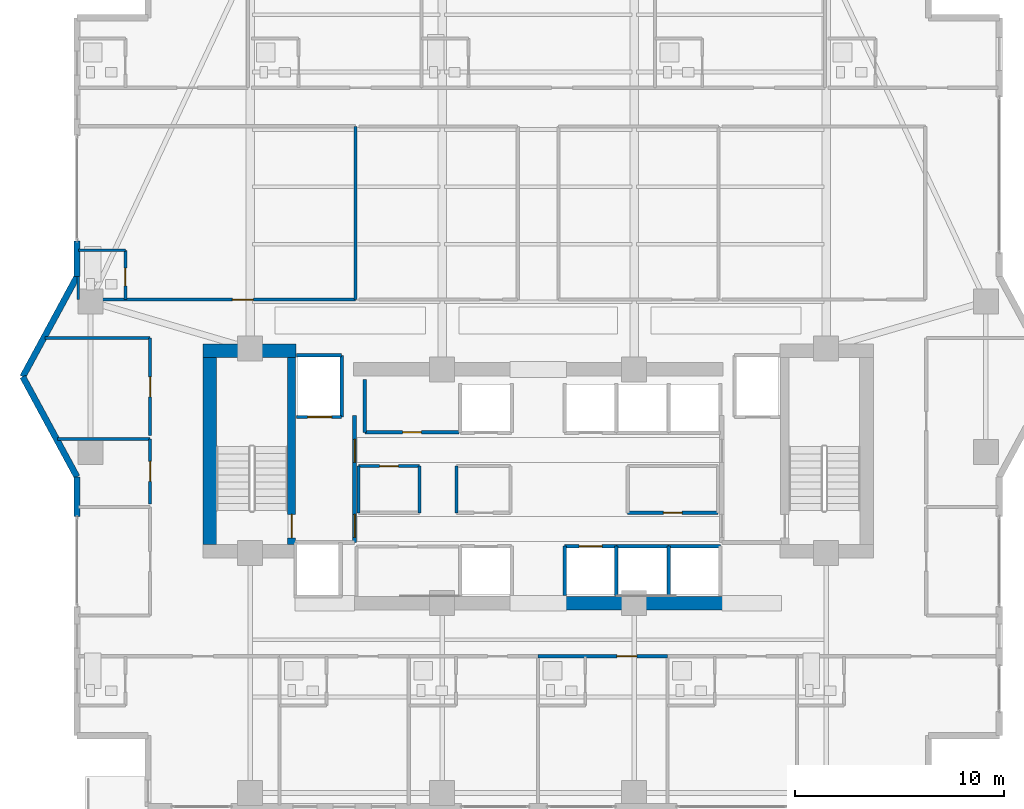
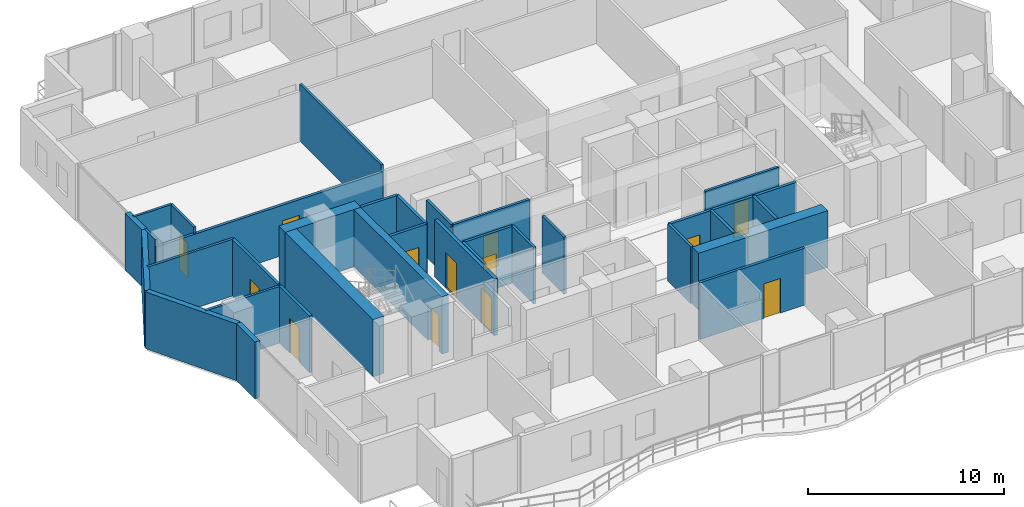
# One storey, part 25 of 32: 35 walls, 13 doors, 13 openings.
"""IFC4 building model written with IfcOpenShell, lengths in metres."""

from ifc_helpers import new_model, si_unit, direction, frame, frame_2d, origin, place, context, subcontext, project, spatial, rectangle, extrude, material, layer, layer_set, type_object, element, fill, save


model = new_model("IFC4")

# Units and contexts
model_context = context("Model", 3, precision=1e-05, world=origin(), true_north=direction((0.0, 1.0)))
body_context = subcontext(model_context, "Body", "Model", "MODEL_VIEW")
ifc_project = project(units=[si_unit("LENGTHUNIT", "METRE"), si_unit("AREAUNIT", "SQUARE_METRE"), si_unit("VOLUMEUNIT", "CUBIC_METRE"), si_unit("PLANEANGLEUNIT", "RADIAN"), si_unit("MASSUNIT", "GRAM", prefix="KILO")], contexts=[model_context])

# Site, building, storey
site_placement = place(None, origin())
site = spatial("IfcSite", under=ifc_project, at=site_placement, CompositionType="ELEMENT")
building_placement = place(site_placement, origin())
building = spatial("IfcBuilding", under=site, at=building_placement, Name="Zuhayl Quay Hotel", CompositionType="ELEMENT")
storey_placement = place(building_placement, frame((0.0, 0.0, 196.14990234375)))
storey = spatial("IfcBuildingStorey", under=building, at=storey_placement, Name="L49", CompositionType="ELEMENT", Elevation=196.14990234375)

# Walls
ifc_material_1 = material(Name="Concrete C50/60", Category="concrete")
ifc_layer_1 = layer(ifc_material_1, 0.64990234375, Name="Concrete C50/60", Category="concrete")
ifc_layer_set_1 = layer_set([ifc_layer_1], Name="Concrete C50/60")
wall_type_1 = type_object("IfcWallType", Name="WL_CORE_650", PredefinedType="SHEAR", material=ifc_layer_set_1)
wall_1_placement = place(storey_placement, frame((-16.06005859375, 14.2548828125, 0.0), z_axis=(0.0, 0.0, 1.0), x_axis=(1.0, 0.0, 0.0)))
element("IfcWall", 1, at=wall_1_placement, inside=storey, type_object=wall_type_1, Name="L49 Core Shear Wall CW_NW", PredefinedType="SHEAR", context=body_context, shape_type="SweptSolid", body=[
    extrude(rectangle(XDim=4.4599609375, YDim=0.64990234375, at=frame_2d((2.22998046875, 0.0))), origin(), (0.0, 0.0, 1.0), 3.56005859375),
])
wall_2_placement = place(storey_placement, frame((-15.735107421875, 4.969970703125, 0.0), z_axis=(0.0, 0.0, 1.0), x_axis=(0.0, 1.0, 0.0)))
element("IfcWall", 2, at=wall_2_placement, inside=storey, type_object=wall_type_1, Name="L49 Core Shear Wall CW_W", PredefinedType="SHEAR", context=body_context, shape_type="SweptSolid", body=[
    extrude(rectangle(XDim=8.9599609375, YDim=0.64990234375, at=frame_2d((4.47998046875, 0.0))), origin(), (0.0, 0.0, 1.0), 3.56005859375),
])
wall_3_placement = place(storey_placement, frame((1.25, 2.14990234375, 0.0), z_axis=(0.0, 0.0, 1.0), x_axis=(1.0, 0.0, 0.0)))
element("IfcWall", 3, at=wall_3_placement, inside=storey, type_object=wall_type_1, Name="L49 Core Shear Wall CW_SC_E", PredefinedType="SHEAR", context=body_context, shape_type="SweptSolid", body=[
    extrude(rectangle(XDim=7.60009765625, YDim=0.64990234375, at=frame_2d((3.800048828125, 0.0))), origin(), (0.0, 0.0, 1.0), 3.530029296875),
])
ifc_material_2 = material(Name="Precast concrete C45/55", Category="concrete")
ifc_layer_2 = layer(ifc_material_2, 0.300048828125, Name="Precast concrete C45/55", Category="concrete")
ifc_layer_set_2 = layer_set([ifc_layer_2], Name="Precast concrete C45/55")
wall_type_2 = type_object("IfcWallType", Name="WL_EXT_300", PredefinedType="STANDARD", material=ifc_layer_set_2)
wall_4_placement = place(storey_placement, frame((-22.10009765625, 6.300048828125, 0.0), z_axis=(0.0, 0.0, 1.0), x_axis=(0.0, 1.0, 0.0)))
element("IfcWall", 4, at=wall_4_placement, inside=storey, type_object=wall_type_2, Name="L49 Exterior Precast Wall ENV_L49_E02_EW2", PredefinedType="STANDARD", context=body_context, shape_type="SweptSolid", body=[
    extrude(rectangle(XDim=1.89990234375, YDim=0.300048828125, at=frame_2d((0.949951171875, 0.0))), origin(), (0.0, 0.0, 1.0), 3.530029296875),
])
for number, where, z_axis, x_axis, name in (
    (5, (-22.10009765625, 8.199951171875, 0.0), (0.0, 0.0, 1.0), (-0.476258655584, 0.879305233114, 0.0), "L49 Exterior Precast Wall ENV_L49_EW03"),
    (6, (-24.699951171875, 13.0, 0.0), (0.0, 0.0, 1.0), (0.476258655584, 0.879305233114, 0.0), "L49 Exterior Precast Wall ENV_L49_EW04"),
):
    element("IfcWall", number, at=place(storey_placement, frame(where, z_axis=z_axis, x_axis=x_axis)), inside=storey, type_object=wall_type_2, Name=name, PredefinedType="STANDARD", context=body_context, shape_type="SweptSolid", body=[
        extrude(rectangle(XDim=5.458984375, YDim=0.300048828125, at=frame_2d((2.7294921875, 0.0))), origin(), (0.0, 0.0, 1.0), 3.530029296875),
    ])
wall_5_placement = place(storey_placement, frame((-22.10009765625, 17.800048828125, 0.0), z_axis=(0.0, 0.0, 1.0), x_axis=(0.0, 1.0, 0.0)))
element("IfcWall", 7, at=wall_5_placement, inside=storey, type_object=wall_type_2, Name="L49 Exterior Precast Wall ENV_L49_E05_EW1", PredefinedType="STANDARD", context=body_context, shape_type="SweptSolid", body=[
    extrude(rectangle(XDim=1.7099609375, YDim=0.300048828125, at=frame_2d((0.85498046875, 0.0))), origin(), (0.0, 0.0, 1.0), 3.530029296875),
])

# Wall, opening, door
ifc_material_3 = material(Name="Acoustic Gypsum Partition STC-58")
ifc_layer_3 = layer(ifc_material_3, 0.14990234375, Name="Acoustic Gypsum Partition STC-58")
ifc_layer_set_3 = layer_set([ifc_layer_3], Name="Acoustic Gypsum Partition STC-58")
wall_type_3 = type_object("IfcWallType", Name="WL_PART_150", PredefinedType="PARTITIONING", material=ifc_layer_set_3)
wall_6_placement = place(storey_placement, frame((-8.31005859375, 10.340087890625, 0.0), z_axis=(0.0, 0.0, 1.0), x_axis=(1.0, 0.0, 0.0)))
wall_6 = element("IfcWall", 8, at=wall_6_placement, inside=storey, type_object=wall_type_3, Name="L49 Partition IW_L49_FLP_N_S", PredefinedType="PARTITIONING", context=body_context, shape_type="SweptSolid", body=[
    extrude(rectangle(XDim=4.52001953125, YDim=0.14990234375, at=frame_2d((2.260009765625, 0.0))), origin(), (0.0, 0.0, 1.0), 3.530029296875),
])
opening_1_placement = place(wall_6_placement, frame((1.81005859375, 0.0, 0.0)))
opening_1 = element("IfcOpeningElement", 9, at=opening_1_placement, cuts=wall_6, Name="Opening D06", PredefinedType="OPENING", context=body_context, shape_type="SweptSolid", body=[
    extrude(rectangle(XDim=0.89990234375, YDim=2.14990234375, at=frame_2d((0.449951171875, 1.074951171875))), frame((0.0, 0.0849609375, 0.0), z_axis=(0.0, -1.0, 0.0), x_axis=(1.0, 0.0, 0.0)), (0.0, 0.0, 1.0), 0.169921875),
])
ifc_material_4 = material(Name="Steel ASTM A992 Grade 50", Category="steel")
door_type_1 = type_object("IfcDoorType", Name="DR_INT_900", OperationType="NOTDEFINED", PredefinedType="DOOR", material=ifc_material_4)
door_1_placement = place(opening_1_placement, origin())
door_1 = element("IfcDoor", 10, at=door_1_placement, inside=storey, type_object=door_type_1, Name="L49 Valet Linen Store Door", OperationType="SINGLE_SWING_RIGHT", OverallHeight=2.14990234375, OverallWidth=0.89990234375, PredefinedType="DOOR", context=body_context, shape_type="SweptSolid", body=[
    extrude(rectangle(XDim=0.89990234375, YDim=2.14990234375, at=frame_2d((0.449951171875, 1.074951171875))), frame((0.0, 0.02490234375, 0.0), z_axis=(0.0, -1.0, 0.0), x_axis=(1.0, 0.0, 0.0)), (0.0, 0.0, 1.0), 0.050048828125),
])
fill(opening_1, door_1)

wall_7_placement = place(storey_placement, frame((-8.610107421875, 8.719970703125, 0.0), z_axis=(0.0, 0.0, 1.0), x_axis=(1.0, 0.0, 0.0)))
wall_7 = element("IfcWall", 11, at=wall_7_placement, inside=storey, type_object=wall_type_3, Name="L49 Partition IW_L49_CORE_HK_N", PredefinedType="PARTITIONING", context=body_context, shape_type="SweptSolid", body=[
    extrude(rectangle(XDim=2.920166015625, YDim=0.14990234375, at=frame_2d((1.4599609375, 0.0))), origin(), (0.0, 0.0, 1.0), 3.530029296875),
])
opening_2_placement = place(wall_7_placement, frame((1.010009765625, 0.0, 0.0)))
opening_2 = element("IfcOpeningElement", 12, at=opening_2_placement, cuts=wall_7, Name="Opening D06", PredefinedType="OPENING", context=body_context, shape_type="SweptSolid", body=[
    extrude(rectangle(XDim=0.89990234375, YDim=2.14990234375, at=frame_2d((0.449951171875, 1.074951171875))), frame((0.0, 0.0849609375, 0.0), z_axis=(0.0, -1.0, 0.0), x_axis=(1.0, 0.0, 0.0)), (0.0, 0.0, 1.0), 0.169921875),
])
door_2_placement = place(opening_2_placement, origin())
door_2 = element("IfcDoor", 13, at=door_2_placement, inside=storey, type_object=door_type_1, Name="L49 Core Housekeeping Store Door", OperationType="SINGLE_SWING_LEFT", OverallHeight=2.14990234375, OverallWidth=0.89990234375, PredefinedType="DOOR", context=body_context, shape_type="SweptSolid", body=[
    extrude(rectangle(XDim=0.89990234375, YDim=2.14990234375, at=frame_2d((0.449951171875, 1.074951171875))), frame((0.0, 0.02490234375, 0.0), z_axis=(0.0, -1.0, 0.0), x_axis=(1.0, 0.0, 0.0)), (0.0, 0.0, 1.0), 0.050048828125),
])
fill(opening_2, door_2)

wall_8_placement = place(storey_placement, frame((4.2900390625, 6.47998046875, 0.0), z_axis=(0.0, 0.0, 1.0), x_axis=(1.0, 0.0, 0.0)))
wall_8 = element("IfcWall", 14, at=wall_8_placement, inside=storey, type_object=wall_type_3, Name="L49 Partition IW_L49_CORE_VL_S", PredefinedType="PARTITIONING", context=body_context, shape_type="SweptSolid", body=[
    extrude(rectangle(XDim=4.320068359375, YDim=0.14990234375, at=frame_2d((2.16015625, 0.0))), origin(), (0.0, 0.0, 1.0), 3.530029296875),
])
opening_3_placement = place(wall_8_placement, frame((1.7099609375, 0.0, 0.0)))
opening_3 = element("IfcOpeningElement", 15, at=opening_3_placement, cuts=wall_8, Name="Opening D06", PredefinedType="OPENING", context=body_context, shape_type="SweptSolid", body=[
    extrude(rectangle(XDim=0.89990234375, YDim=2.14990234375, at=frame_2d((0.449951171875, 1.074951171875))), frame((0.0, 0.0849609375, 0.0), z_axis=(0.0, -1.0, 0.0), x_axis=(1.0, 0.0, 0.0)), (0.0, 0.0, 1.0), 0.169921875),
])
door_3_placement = place(opening_3_placement, origin())
door_3 = element("IfcDoor", 16, at=door_3_placement, inside=storey, type_object=door_type_1, Name="L49 Floor Valet Store Door", OperationType="SINGLE_SWING_LEFT", OverallHeight=2.14990234375, OverallWidth=0.89990234375, PredefinedType="DOOR", context=body_context, shape_type="SweptSolid", body=[
    extrude(rectangle(XDim=0.89990234375, YDim=2.14990234375, at=frame_2d((0.449951171875, 1.074951171875))), frame((0.0, 0.02490234375, 0.0), z_axis=(0.0, -1.0, 0.0), x_axis=(1.0, 0.0, 0.0)), (0.0, 0.0, 1.0), 0.050048828125),
])
fill(opening_3, door_3)

# Walls
wall_9_placement = place(storey_placement, frame((-8.31005859375, 10.340087890625, 0.0), z_axis=(0.0, 0.0, 1.0), x_axis=(0.0, 1.0, 0.0)))
element("IfcWall", 17, at=wall_9_placement, inside=storey, type_object=wall_type_3, Name="L49 Partition IW_L49_FLP_N_W", PredefinedType="PARTITIONING", context=body_context, shape_type="SweptSolid", body=[
    extrude(rectangle(XDim=2.52001953125, YDim=0.14990234375, at=frame_2d((1.260009765625, 0.0))), origin(), (0.0, 0.0, 1.0), 3.530029296875),
])
for number, where, z_axis, x_axis, name in (
    (18, (-8.610107421875, 6.47998046875, 0.0), (0.0, 0.0, 1.0), (0.0, 1.0, 0.0), "L49 Partition IW_L49_CORE_HK_W"),
    (19, (-5.68994140625, 6.47998046875, 0.0), (0.0, 0.0, 1.0), (0.0, 1.0, 0.0), "L49 Partition IW_L49_CORE_HK_E"),
    (20, (-3.909912109375, 6.47998046875, 0.0), (0.0, 0.0, 1.0), (0.0, 1.0, 0.0), "L49 Partition IW_L49_CORE_BC_W"),
):
    element("IfcWall", number, at=place(storey_placement, frame(where, z_axis=z_axis, x_axis=x_axis)), inside=storey, type_object=wall_type_3, Name=name, PredefinedType="PARTITIONING", context=body_context, shape_type="SweptSolid", body=[
        extrude(rectangle(XDim=2.239990234375, YDim=0.14990234375, at=frame_2d((1.1201171875, 0.0))), origin(), (0.0, 0.0, 1.0), 3.530029296875),
    ])
wall_10_placement = place(storey_placement, frame((-8.75, 16.699951171875, 0.0), z_axis=(0.0, 0.0, 1.0), x_axis=(0.0, 1.0, 0.0)))
element("IfcWall", 21, at=wall_10_placement, inside=storey, type_object=wall_type_3, Name="L49 Partition IW_L49_MU01_E", PredefinedType="PARTITIONING", context=body_context, shape_type="SweptSolid", body=[
    extrude(rectangle(XDim=8.300048828125, YDim=0.14990234375, at=frame_2d((4.14990234375, 0.0))), origin(), (0.0, 0.0, 1.0), 3.530029296875),
])
wall_11_placement = place(storey_placement, frame((-23.02587890625, 10.02001953125, 0.0), z_axis=(0.0, 0.0, 1.0), x_axis=(1.0, 0.0, 0.0)))
element("IfcWall", 22, at=wall_11_placement, inside=storey, type_object=wall_type_3, Name="L49 Partition IW_L49_WPROW_2_N", PredefinedType="PARTITIONING", context=body_context, shape_type="SweptSolid", body=[
    extrude(rectangle(XDim=4.42578125, YDim=0.14990234375, at=frame_2d((2.212890625, 0.0))), origin(), (0.0, 0.0, 1.0), 3.530029296875),
])
wall_12_placement = place(storey_placement, frame((-23.637939453125, 14.85009765625, 0.0), z_axis=(0.0, 0.0, 1.0), x_axis=(1.0, 0.0, 0.0)))
element("IfcWall", 23, at=wall_12_placement, inside=storey, type_object=wall_type_3, Name="L49 Partition IW_L49_WPROW_3_N", PredefinedType="PARTITIONING", context=body_context, shape_type="SweptSolid", body=[
    extrude(rectangle(XDim=5.037841796875, YDim=0.14990234375, at=frame_2d((2.51904296875, 0.0))), origin(), (0.0, 0.0, 1.0), 3.530029296875),
])

# Wall, opening, door
ifc_layer_4 = layer(ifc_material_3, 0.159912109375, Name="Acoustic Gypsum Partition STC-58")
ifc_layer_set_4 = layer_set([ifc_layer_4], Name="Acoustic Gypsum Partition STC-58")
wall_type_4 = type_object("IfcWallType", Name="WL_PART_CORR_160", PredefinedType="PARTITIONING", material=ifc_layer_set_4)
wall_13_placement = place(storey_placement, frame((-22.0400390625, 16.699951171875, 0.0), z_axis=(0.0, 0.0, 1.0), x_axis=(1.0, 0.0, 0.0)))
wall_13 = element("IfcWall", 24, at=wall_13_placement, inside=storey, type_object=wall_type_4, Name="L49 Partition IW_L49_MU01_COR", PredefinedType="PARTITIONING", context=body_context, shape_type="SweptSolid", body=[
    extrude(rectangle(XDim=13.2900390625, YDim=0.159912109375, at=frame_2d((6.64501953125, 0.0))), origin(), (0.0, 0.0, 1.0), 3.1240234375),
])
opening_4_placement = place(wall_13_placement, frame((7.389892578125, 0.0, 0.0)))
opening_4 = element("IfcOpeningElement", 25, at=opening_4_placement, cuts=wall_13, Name="Opening D03L", PredefinedType="OPENING", context=body_context, shape_type="SweptSolid", body=[
    extrude(rectangle(XDim=1.0, YDim=2.14990234375, at=frame_2d((0.5, 1.074951171875))), frame((0.0, 0.08984375, 0.0), z_axis=(0.0, -1.0, 0.0), x_axis=(1.0, 0.0, 0.0)), (0.0, 0.0, 1.0), 0.179931640625),
])
ifc_material_5 = material(Name="Solid Walnut Acoustic Fire Door")
door_type_2 = type_object("IfcDoorType", Name="DR_SUITE_1000", OperationType="NOTDEFINED", PredefinedType="DOOR", material=ifc_material_5)
door_4_placement = place(opening_4_placement, origin())
door_4 = element("IfcDoor", 26, at=door_4_placement, inside=storey, type_object=door_type_2, Name="L49 West Spa Corner Suite L49-M1 Entrance Door", OperationType="SINGLE_SWING_LEFT", OverallHeight=2.14990234375, OverallWidth=1.0, PredefinedType="DOOR", context=body_context, shape_type="SweptSolid", body=[
    extrude(rectangle(XDim=1.0, YDim=2.14990234375, at=frame_2d((0.5, 1.074951171875))), frame((0.0, 0.02490234375, 0.0), z_axis=(0.0, -1.0, 0.0), x_axis=(1.0, 0.0, 0.0)), (0.0, 0.0, 1.0), 0.050048828125),
])
fill(opening_4, door_4)

wall_14_placement = place(storey_placement, frame((0.0, -0.39990234375, 0.0), z_axis=(0.0, 0.0, 1.0), x_axis=(1.0, 0.0, 0.0)))
wall_14 = element("IfcWall", 27, at=wall_14_placement, inside=storey, type_object=wall_type_4, Name="L49 Partition IW_L49_SU04_COR", PredefinedType="PARTITIONING", context=body_context, shape_type="SweptSolid", body=[
    extrude(rectangle(XDim=6.199951171875, YDim=0.159912109375, at=frame_2d((3.10009765625, 0.0))), origin(), (0.0, 0.0, 1.0), 3.530029296875),
])
opening_5_placement = place(wall_14_placement, frame((3.77490234375, 0.0, 0.0)))
opening_5 = element("IfcOpeningElement", 28, at=opening_5_placement, cuts=wall_14, Name="Opening D03", PredefinedType="OPENING", context=body_context, shape_type="SweptSolid", body=[
    extrude(rectangle(XDim=0.949951171875, YDim=2.14990234375, at=frame_2d((0.47509765625, 1.074951171875))), frame((0.0, 0.08984375, 0.0), z_axis=(0.0, -1.0, 0.0), x_axis=(1.0, 0.0, 0.0)), (0.0, 0.0, 1.0), 0.179931640625),
])
door_type_3 = type_object("IfcDoorType", Name="DR_SUITE_950", OperationType="NOTDEFINED", PredefinedType="DOOR", material=ifc_material_5)
door_5_placement = place(opening_5_placement, origin())
door_5 = element("IfcDoor", 29, at=door_5_placement, inside=storey, type_object=door_type_3, Name="L49 Premier Twin Guest Room L49-04 Entrance Door", OperationType="SINGLE_SWING_RIGHT", OverallHeight=2.14990234375, OverallWidth=0.949951171875, PredefinedType="DOOR", context=body_context, shape_type="SweptSolid", body=[
    extrude(rectangle(XDim=0.949951171875, YDim=2.14990234375, at=frame_2d((0.47509765625, 1.074951171875))), frame((0.0, 0.02490234375, 0.0), z_axis=(0.0, -1.0, 0.0), x_axis=(1.0, 0.0, 0.0)), (0.0, 0.0, 1.0), 0.050048828125),
])
fill(opening_5, door_5)

wall_15_placement = place(storey_placement, frame((-18.60009765625, 6.909912109375, 0.0), z_axis=(0.0, 0.0, 1.0), x_axis=(0.0, 1.0, 0.0)))
wall_15 = element("IfcWall", 30, at=wall_15_placement, inside=storey, type_object=wall_type_4, Name="L49 Partition IW_L49_WPROW_2_E", PredefinedType="PARTITIONING", context=body_context, shape_type="SweptSolid", body=[
    extrude(rectangle(XDim=3.110107421875, YDim=0.159912109375, at=frame_2d((1.55517578125, 0.0))), origin(), (0.0, 0.0, 1.0), 3.530029296875),
])
opening_6_placement = place(wall_15_placement, frame((1.080078125, 0.0, 0.0)))
opening_6 = element("IfcOpeningElement", 31, at=opening_6_placement, cuts=wall_15, Name="Opening D03", PredefinedType="OPENING", context=body_context, shape_type="SweptSolid", body=[
    extrude(rectangle(XDim=0.949951171875, YDim=2.14990234375, at=frame_2d((0.47509765625, 1.074951171875))), frame((0.0, 0.08984375, 0.0), z_axis=(0.0, -1.0, 0.0), x_axis=(1.0, 0.0, 0.0)), (0.0, 0.0, 1.0), 0.179931640625),
])
door_6_placement = place(opening_6_placement, origin())
door_6 = element("IfcDoor", 32, at=door_6_placement, inside=storey, type_object=door_type_3, Name="L49 Sunset Tea Salon L49 Door", OperationType="SINGLE_SWING_RIGHT", OverallHeight=2.14990234375, OverallWidth=0.949951171875, PredefinedType="DOOR", context=body_context, shape_type="SweptSolid", body=[
    extrude(rectangle(XDim=0.949951171875, YDim=2.14990234375, at=frame_2d((0.47509765625, 1.074951171875))), frame((0.0, 0.02490234375, 0.0), z_axis=(0.0, -1.0, 0.0), x_axis=(1.0, 0.0, 0.0)), (0.0, 0.0, 1.0), 0.050048828125),
])
fill(opening_6, door_6)

wall_16_placement = place(storey_placement, frame((-18.60009765625, 10.179931640625, 0.0), z_axis=(0.0, 0.0, 1.0), x_axis=(0.0, 1.0, 0.0)))
wall_16 = element("IfcWall", 33, at=wall_16_placement, inside=storey, type_object=wall_type_4, Name="L49 Partition IW_L49_WPROW_3_E", PredefinedType="PARTITIONING", context=body_context, shape_type="SweptSolid", body=[
    extrude(rectangle(XDim=4.670166015625, YDim=0.159912109375, at=frame_2d((2.3349609375, 0.0))), origin(), (0.0, 0.0, 1.0), 3.530029296875),
])
opening_7_placement = place(wall_16_placement, frame((1.860107421875, 0.0, 0.0)))
opening_7 = element("IfcOpeningElement", 34, at=opening_7_placement, cuts=wall_16, Name="Opening D03", PredefinedType="OPENING", context=body_context, shape_type="SweptSolid", body=[
    extrude(rectangle(XDim=0.949951171875, YDim=2.14990234375, at=frame_2d((0.47509765625, 1.074951171875))), frame((0.0, 0.08984375, 0.0), z_axis=(0.0, -1.0, 0.0), x_axis=(1.0, 0.0, 0.0)), (0.0, 0.0, 1.0), 0.179931640625),
])
door_7_placement = place(opening_7_placement, origin())
door_7 = element("IfcDoor", 35, at=door_7_placement, inside=storey, type_object=door_type_3, Name="L49 West Horizon Salon L49 Door", OperationType="SINGLE_SWING_LEFT", OverallHeight=2.14990234375, OverallWidth=0.949951171875, PredefinedType="DOOR", context=body_context, shape_type="SweptSolid", body=[
    extrude(rectangle(XDim=0.949951171875, YDim=2.14990234375, at=frame_2d((0.47509765625, 1.074951171875))), frame((0.0, 0.02490234375, 0.0), z_axis=(0.0, -1.0, 0.0), x_axis=(1.0, 0.0, 0.0)), (0.0, 0.0, 1.0), 0.050048828125),
])
fill(opening_7, door_7)

ifc_material_6 = material(Name="Moisture-Resistant Sanitarychase Gypsum")
ifc_layer_5 = layer(ifc_material_6, 0.135009765625, Name="Moisture-Resistant Sanitarychase Gypsum")
ifc_layer_set_5 = layer_set([ifc_layer_5], Name="Moisture-Resistant Sanitarychase Gypsum")
wall_type_5 = type_object("IfcWallType", Name="WL_PART_PLUMB_150", PredefinedType="PLUMBINGWALL", material=ifc_layer_set_5)
wall_17_placement = place(storey_placement, frame((-19.780029296875, 16.699951171875, 0.0), z_axis=(0.0, 0.0, 1.0), x_axis=(0.0, 1.0, 0.0)))
wall_17 = element("IfcWall", 36, at=wall_17_placement, inside=storey, type_object=wall_type_5, Name="L49 Partition IW_L49_MU01_BE", PredefinedType="PLUMBINGWALL", context=body_context, shape_type="SweptSolid", body=[
    extrude(rectangle(XDim=2.360107421875, YDim=0.135009765625, at=frame_2d((1.18017578125, 0.0))), origin(), (0.0, 0.0, 1.0), 3.530029296875),
])
opening_8_placement = place(wall_17_placement, frame((0.64990234375, 0.0, 0.0)))
opening_8 = element("IfcOpeningElement", 37, at=opening_8_placement, cuts=wall_17, Name="Opening D04", PredefinedType="OPENING", context=body_context, shape_type="SweptSolid", body=[
    extrude(rectangle(XDim=0.85009765625, YDim=2.10009765625, at=frame_2d((0.425048828125, 1.050048828125))), frame((0.0, 0.077392578125, 0.0), z_axis=(0.0, -1.0, 0.0), x_axis=(1.0, 0.0, 0.0)), (0.0, 0.0, 1.0), 0.155029296875),
])
ifc_material_7 = material(Name="Moisture-Resistant Walnut Veneer")
door_type_4 = type_object("IfcDoorType", Name="DR_BATH_850", OperationType="NOTDEFINED", PredefinedType="DOOR", material=ifc_material_7)
door_8_placement = place(opening_8_placement, origin())
door_8 = element("IfcDoor", 38, at=door_8_placement, inside=storey, type_object=door_type_4, Name="L49 West Spa Corner Suite L49-M1 En-Suite Door", OperationType="SINGLE_SWING_RIGHT", OverallHeight=2.10009765625, OverallWidth=0.85009765625, PredefinedType="DOOR", context=body_context, shape_type="SweptSolid", body=[
    extrude(rectangle(XDim=0.85009765625, YDim=2.10009765625, at=frame_2d((0.425048828125, 1.050048828125))), frame((0.0, 0.02490234375, 0.0), z_axis=(0.0, -1.0, 0.0), x_axis=(1.0, 0.0, 0.0)), (0.0, 0.0, 1.0), 0.050048828125),
])
fill(opening_8, door_8)

# Walls
wall_18_placement = place(storey_placement, frame((-22.0400390625, 19.06005859375, 0.0), z_axis=(0.0, 0.0, 1.0), x_axis=(1.0, 0.0, 0.0)))
element("IfcWall", 39, at=wall_18_placement, inside=storey, type_object=wall_type_5, Name="L49 Partition IW_L49_MU01_BN", PredefinedType="PLUMBINGWALL", context=body_context, shape_type="SweptSolid", body=[
    extrude(rectangle(XDim=2.260009765625, YDim=0.135009765625, at=frame_2d((1.1298828125, 0.0))), origin(), (0.0, 0.0, 1.0), 3.530029296875),
])
wall_19_placement = place(storey_placement, frame((-22.0400390625, 16.699951171875, 0.0), z_axis=(0.0, 0.0, 1.0), x_axis=(0.0, 1.0, 0.0)))
element("IfcWall", 40, at=wall_19_placement, inside=storey, type_object=wall_type_5, Name="L49 Partition IW_L49_MU01_BW", PredefinedType="PLUMBINGWALL", context=body_context, shape_type="SweptSolid", body=[
    extrude(rectangle(XDim=1.10009765625, YDim=0.135009765625, at=frame_2d((0.550048828125, 0.0))), origin(), (0.0, 0.0, 1.0), 3.530029296875),
])

# Wall, opening, door
ifc_material_8 = material(Name="Gypsum Fireboard Assembly EI-90")
ifc_layer_6 = layer(ifc_material_8, 0.1650390625, Name="Gypsum Fireboard Assembly EI-90")
ifc_layer_set_6 = layer_set([ifc_layer_6], Name="Gypsum Fireboard Assembly EI-90")
wall_type_6 = type_object("IfcWallType", Name="WL_PART_SHAFT_160", PredefinedType="PARTITIONING", material=ifc_layer_set_6)
wall_20_placement = place(storey_placement, frame((-11.580078125, 11.070068359375, 0.0), z_axis=(0.0, 0.0, 1.0), x_axis=(1.0, 0.0, 0.0)))
wall_20 = element("IfcWall", 41, at=wall_20_placement, inside=storey, type_object=wall_type_6, Name="L49 Partition IW_L49_SH_FL1_F", PredefinedType="PARTITIONING", context=body_context, shape_type="SweptSolid", body=[
    extrude(rectangle(XDim=2.16015625, YDim=0.1650390625, at=frame_2d((1.080078125, 0.0))), origin(), (0.0, 0.0, 1.0), 3.530029296875),
])
opening_9_placement = place(wall_20_placement, frame((0.530029296875, 0.0, 0.0)))
opening_9 = element("IfcOpeningElement", 42, at=opening_9_placement, cuts=wall_20, Name="Opening LD2", PredefinedType="OPENING", context=body_context, shape_type="SweptSolid", body=[
    extrude(rectangle(XDim=1.14990234375, YDim=2.25, at=frame_2d((0.574951171875, 1.125))), frame((0.0, 0.092529296875, 0.0), z_axis=(0.0, -1.0, 0.0), x_axis=(1.0, 0.0, 0.0)), (0.0, 0.0, 1.0), 0.18505859375),
])
ifc_material_9 = material(Name="Brushed Stainless Steel", Category="steel")
door_type_5 = type_object("IfcDoorType", Name="DR_LIFT_FF_1100", OperationType="SLIDING_TO_LEFT", PredefinedType="DOOR", material=ifc_material_9)
door_9_placement = place(opening_9_placement, origin())
door_9 = element("IfcDoor", 43, at=door_9_placement, inside=storey, type_object=door_type_5, Name="L49 Lift FL1 Sliding Landing Door", OperationType="SLIDING_TO_LEFT", OverallHeight=2.25, OverallWidth=1.14990234375, PredefinedType="DOOR", context=body_context, shape_type="SweptSolid", body=[
    extrude(rectangle(XDim=1.14990234375, YDim=2.25, at=frame_2d((0.574951171875, 1.125))), frame((0.0, 0.02490234375, 0.0), z_axis=(0.0, -1.0, 0.0), x_axis=(1.0, 0.0, 0.0)), (0.0, 0.0, 1.0), 0.050048828125),
])
fill(opening_9, door_9)

wall_21_placement = place(storey_placement, frame((1.27001953125, 4.8798828125, 0.0), z_axis=(0.0, 0.0, 1.0), x_axis=(1.0, 0.0, 0.0)))
wall_21 = element("IfcWall", 44, at=wall_21_placement, inside=storey, type_object=wall_type_6, Name="L49 Partition IW_L49_SH_MP2_F", PredefinedType="PARTITIONING", context=body_context, shape_type="SweptSolid", body=[
    extrude(rectangle(XDim=2.47998046875, YDim=0.1650390625, at=frame_2d((1.239990234375, 0.0))), origin(), (0.0, 0.0, 1.0), 3.530029296875),
])
opening_10_placement = place(wall_21_placement, frame((0.68994140625, 0.0, 0.0)))
opening_10 = element("IfcOpeningElement", 45, at=opening_10_placement, cuts=wall_21, Name="Opening LD1", PredefinedType="OPENING", context=body_context, shape_type="SweptSolid", body=[
    extrude(rectangle(XDim=1.10009765625, YDim=2.25, at=frame_2d((0.550048828125, 1.125))), frame((0.0, 0.092529296875, 0.0), z_axis=(0.0, -1.0, 0.0), x_axis=(1.0, 0.0, 0.0)), (0.0, 0.0, 1.0), 0.18505859375),
])
door_type_6 = type_object("IfcDoorType", Name="DR_LIFT_PASS_1100", OperationType="SLIDING_TO_LEFT", PredefinedType="DOOR", material=ifc_material_9)
door_10_placement = place(opening_10_placement, origin())
door_10 = element("IfcDoor", 46, at=door_10_placement, inside=storey, type_object=door_type_6, Name="L49 Lift MP2 Sliding Landing Door", OperationType="SLIDING_TO_LEFT", OverallHeight=2.25, OverallWidth=1.10009765625, PredefinedType="DOOR", context=body_context, shape_type="SweptSolid", body=[
    extrude(rectangle(XDim=1.10009765625, YDim=2.25, at=frame_2d((0.550048828125, 1.125))), frame((0.0, 0.02490234375, 0.0), z_axis=(0.0, -1.0, 0.0), x_axis=(1.0, 0.0, 0.0)), (0.0, 0.0, 1.0), 0.050048828125),
])
fill(opening_10, door_10)

# Walls
wall_22_placement = place(storey_placement, frame((-9.419921875, 11.070068359375, 0.0), z_axis=(0.0, 0.0, 1.0), x_axis=(0.0, 1.0, 0.0)))
element("IfcWall", 47, at=wall_22_placement, inside=storey, type_object=wall_type_6, Name="L49 Partition IW_L49_SH_FL1_E", PredefinedType="PARTITIONING", context=body_context, shape_type="SweptSolid", body=[
    extrude(rectangle(XDim=2.9599609375, YDim=0.1650390625, at=frame_2d((1.47998046875, 0.0))), origin(), (0.0, 0.0, 1.0), 3.530029296875),
])
wall_23_placement = place(storey_placement, frame((-11.580078125, 14.030029296875, 0.0), z_axis=(0.0, 0.0, 1.0), x_axis=(1.0, 0.0, 0.0)))
element("IfcWall", 48, at=wall_23_placement, inside=storey, type_object=wall_type_6, Name="L49 Partition IW_L49_SH_FL1_B", PredefinedType="PARTITIONING", context=body_context, shape_type="SweptSolid", body=[
    extrude(rectangle(XDim=2.16015625, YDim=0.1650390625, at=frame_2d((1.080078125, 0.0))), origin(), (0.0, 0.0, 1.0), 3.530029296875),
])
for number, where, z_axis, x_axis, name in (
    (49, (1.27001953125, 2.52001953125, 0.0), (0.0, 0.0, 1.0), (0.0, 1.0, 0.0), "L49 Partition IW_L49_SH_MP2_W"),
    (50, (3.75, 2.52001953125, 0.0), (0.0, 0.0, 1.0), (0.0, 1.0, 0.0), "L49 Partition IW_L49_SH_MP2_E"),
):
    element("IfcWall", number, at=place(storey_placement, frame(where, z_axis=z_axis, x_axis=x_axis)), inside=storey, type_object=wall_type_6, Name=name, PredefinedType="PARTITIONING", context=body_context, shape_type="SweptSolid", body=[
        extrude(rectangle(XDim=2.35986328125, YDim=0.1650390625, at=frame_2d((1.179931640625, 0.0))), origin(), (0.0, 0.0, 1.0), 3.530029296875),
    ])
wall_24_placement = place(storey_placement, frame((3.75, 4.8798828125, 0.0), z_axis=(0.0, 0.0, 1.0), x_axis=(1.0, 0.0, 0.0)))
element("IfcWall", 51, at=wall_24_placement, inside=storey, type_object=wall_type_6, Name="L49 Partition IW_L49_SH_HP1_F", PredefinedType="PARTITIONING", context=body_context, shape_type="SweptSolid", body=[
    extrude(rectangle(XDim=2.5, YDim=0.1650390625, at=frame_2d((1.25, 0.0))), origin(), (0.0, 0.0, 1.0), 3.530029296875),
])
wall_25_placement = place(storey_placement, frame((6.25, 2.52001953125, 0.0), z_axis=(0.0, 0.0, 1.0), x_axis=(0.0, 1.0, 0.0)))
element("IfcWall", 52, at=wall_25_placement, inside=storey, type_object=wall_type_6, Name="L49 Partition IW_L49_SH_HP1_E", PredefinedType="PARTITIONING", context=body_context, shape_type="SweptSolid", body=[
    extrude(rectangle(XDim=2.35986328125, YDim=0.1650390625, at=frame_2d((1.179931640625, 0.0))), origin(), (0.0, 0.0, 1.0), 3.530029296875),
])
wall_26_placement = place(storey_placement, frame((6.25, 4.8798828125, 0.0), z_axis=(0.0, 0.0, 1.0), x_axis=(1.0, 0.0, 0.0)))
element("IfcWall", 53, at=wall_26_placement, inside=storey, type_object=wall_type_6, Name="L49 Partition IW_L49_SH_HP2_F", PredefinedType="PARTITIONING", context=body_context, shape_type="SweptSolid", body=[
    extrude(rectangle(XDim=2.47998046875, YDim=0.1650390625, at=frame_2d((1.239990234375, 0.0))), origin(), (0.0, 0.0, 1.0), 3.530029296875),
])

# Wall, openings, doors
ifc_material_10 = material(Name="Gypsum Fireboard Assembly EI-120")
ifc_layer_7 = layer(ifc_material_10, 0.199951171875, Name="Gypsum Fireboard Assembly EI-120")
ifc_layer_set_7 = layer_set([ifc_layer_7], Name="Gypsum Fireboard Assembly EI-120")
wall_type_7 = type_object("IfcWallType", Name="WL_PART_SHAFT_200", PredefinedType="PARTITIONING", material=ifc_layer_set_7)
wall_27_placement = place(storey_placement, frame((-8.800048828125, 5.050048828125, 0.0), z_axis=(0.0, 0.0, 1.0), x_axis=(0.0, 1.0, 0.0)))
wall_27 = element("IfcWall", 54, at=wall_27_placement, inside=storey, type_object=wall_type_7, Name="L49 Partition IW_L49_FSAE_W_E", PredefinedType="PARTITIONING", context=body_context, shape_type="SweptSolid", body=[
    extrude(rectangle(XDim=6.099853515625, YDim=0.199951171875, at=frame_2d((3.0498046875, 0.0))), origin(), (0.0, 0.0, 1.0), 3.530029296875),
])
opening_11_placement = place(wall_27_placement, frame((0.25, 0.0, 0.0)))
opening_11 = element("IfcOpeningElement", 55, at=opening_11_placement, cuts=wall_27, Name="Opening D02", PredefinedType="OPENING", context=body_context, shape_type="SweptSolid", body=[
    extrude(rectangle(XDim=1.10009765625, YDim=2.199951171875, at=frame_2d((0.550048828125, 1.10009765625))), frame((0.0, 0.10986328125, 0.0), z_axis=(0.0, -1.0, 0.0), x_axis=(1.0, 0.0, 0.0)), (0.0, 0.0, 1.0), 0.219970703125),
])
opening_12_placement = place(wall_27_placement, frame((3.85009765625, 0.0, 0.0)))
opening_12 = element("IfcOpeningElement", 56, at=opening_12_placement, cuts=wall_27, Name="Opening D02", PredefinedType="OPENING", context=body_context, shape_type="SweptSolid", body=[
    extrude(rectangle(XDim=1.10009765625, YDim=2.199951171875, at=frame_2d((0.550048828125, 1.10009765625))), frame((0.0, 0.10986328125, 0.0), z_axis=(0.0, -1.0, 0.0), x_axis=(1.0, 0.0, 0.0)), (0.0, 0.0, 1.0), 0.219970703125),
])
door_type_7 = type_object("IfcDoorType", Name="DR_FIRE_90_1100", OperationType="NOTDEFINED", PredefinedType="DOOR", material=ifc_material_4)
door_11_placement = place(opening_11_placement, origin())
door_11 = element("IfcDoor", 57, at=door_11_placement, inside=storey, type_object=door_type_7, Name="L49 FSAE Lobby West South Entry Door", OperationType="SINGLE_SWING_LEFT", OverallHeight=2.199951171875, OverallWidth=1.10009765625, PredefinedType="DOOR", context=body_context, shape_type="SweptSolid", body=[
    extrude(rectangle(XDim=1.10009765625, YDim=2.199951171875, at=frame_2d((0.550048828125, 1.10009765625))), frame((0.0, 0.02490234375, 0.0), z_axis=(0.0, -1.0, 0.0), x_axis=(1.0, 0.0, 0.0)), (0.0, 0.0, 1.0), 0.050048828125),
])
fill(opening_11, door_11)
door_12_placement = place(opening_12_placement, origin())
door_12 = element("IfcDoor", 58, at=door_12_placement, inside=storey, type_object=door_type_7, Name="L49 FSAE Lobby West North Entry Door", OperationType="SINGLE_SWING_RIGHT", OverallHeight=2.199951171875, OverallWidth=1.10009765625, PredefinedType="DOOR", context=body_context, shape_type="SweptSolid", body=[
    extrude(rectangle(XDim=1.10009765625, YDim=2.199951171875, at=frame_2d((0.550048828125, 1.10009765625))), frame((0.0, 0.02490234375, 0.0), z_axis=(0.0, -1.0, 0.0), x_axis=(1.0, 0.0, 0.0)), (0.0, 0.0, 1.0), 0.050048828125),
])
fill(opening_12, door_12)

# Wall, opening, door
ifc_material_11 = material(Name="Concrete C60/75", Category="concrete")
ifc_layer_8 = layer(ifc_material_11, 0.39990234375, Name="Concrete C60/75", Category="concrete")
ifc_layer_set_8 = layer_set([ifc_layer_8], Name="Concrete C60/75")
wall_type_8 = type_object("IfcWallType", Name="WL_STAIR_400", PredefinedType="SHEAR", material=ifc_layer_set_8)
wall_28_placement = place(storey_placement, frame((-11.820068359375, 4.969970703125, 0.0), z_axis=(0.0, 0.0, 1.0), x_axis=(0.0, 1.0, 0.0)))
wall_28 = element("IfcWall", 59, at=wall_28_placement, inside=storey, type_object=wall_type_8, Name="L49 Core Shear Wall SW_ST1", PredefinedType="SHEAR", context=body_context, shape_type="SweptSolid", body=[
    extrude(rectangle(XDim=8.9599609375, YDim=0.39990234375, at=frame_2d((4.47998046875, 0.0))), origin(), (0.0, 0.0, 1.0), 3.56005859375),
])
opening_13_placement = place(wall_28_placement, frame((0.31005859375, 0.0, 0.0)))
opening_13 = element("IfcOpeningElement", 60, at=opening_13_placement, cuts=wall_28, Name="Opening D01", PredefinedType="OPENING", context=body_context, shape_type="SweptSolid", body=[
    extrude(rectangle(XDim=1.1201171875, YDim=2.219970703125, at=frame_2d((0.56005859375, 1.10986328125))), frame((0.0, 0.2099609375, 0.0), z_axis=(0.0, -1.0, 0.0), x_axis=(1.0, 0.0, 0.0)), (0.0, 0.0, 1.0), 0.419921875),
])
door_type_8 = type_object("IfcDoorType", Name="DR_STAIR_90_1100", OperationType="NOTDEFINED", PredefinedType="DOOR", material=ifc_material_4)
door_13_placement = place(opening_13_placement, origin())
door_13 = element("IfcDoor", 61, at=door_13_placement, inside=storey, type_object=door_type_8, Name="L49 Smokeproof Exit Stair ST1 Door", OperationType="SINGLE_SWING_LEFT", OverallHeight=2.219970703125, OverallWidth=1.1201171875, PredefinedType="DOOR", context=body_context, shape_type="SweptSolid", body=[
    extrude(rectangle(XDim=1.1201171875, YDim=2.219970703125, at=frame_2d((0.56005859375, 1.10986328125))), frame((0.0, 0.02490234375, 0.0), z_axis=(0.0, -1.0, 0.0), x_axis=(1.0, 0.0, 0.0)), (0.0, 0.0, 1.0), 0.050048828125),
])
fill(opening_13, door_13)

save(model, "model.ifc")
